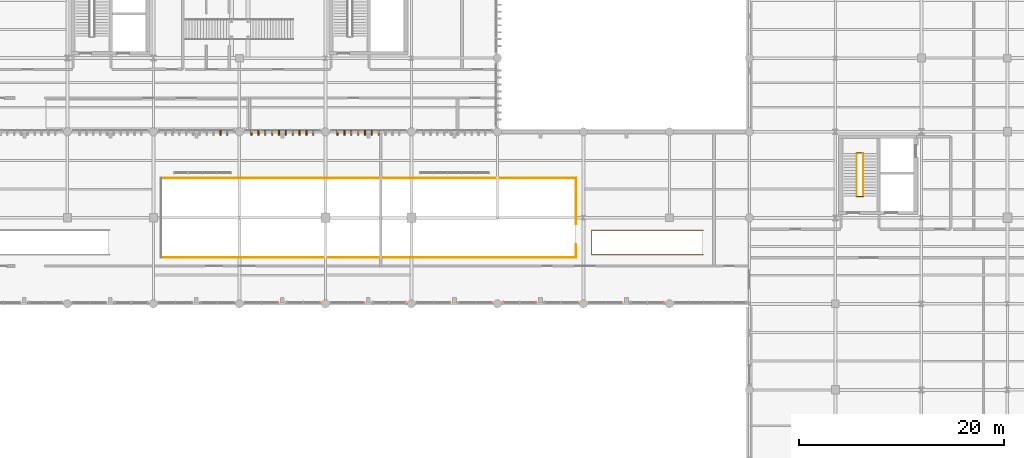
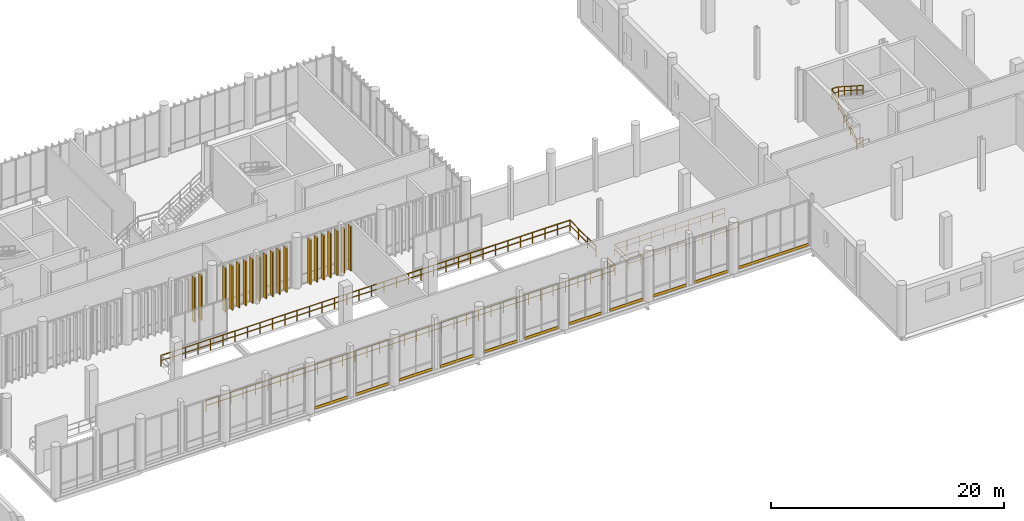
# One storey, part 122 of 128: 30 coverings, 9 railings.
"""IFC4 building model written with IfcOpenShell, lengths in metres."""

from ifc_helpers import new_model, si_unit, direction, frame, frame_2d, origin_with_axes, origin_2d_with_axis, place, context, subcontext, project, spatial, rectangle, circle, extrude, material, type_object, element, save


model = new_model("IFC4")

# Units and contexts
model_context = context("Model", 3, precision=1e-05, world=origin_with_axes(), true_north=direction((0.0, 1.0)))
body_context = subcontext(model_context, "Body", "Model", "MODEL_VIEW")
ifc_project = project(units=[si_unit("LENGTHUNIT", "METRE"), si_unit("AREAUNIT", "SQUARE_METRE"), si_unit("VOLUMEUNIT", "CUBIC_METRE"), si_unit("PLANEANGLEUNIT", "RADIAN"), si_unit("MASSUNIT", "GRAM", prefix="KILO"), si_unit("THERMODYNAMICTEMPERATUREUNIT", "KELVIN")], contexts=[model_context])

# Site, building, storey
site_placement = place(None, origin_with_axes())
site = spatial("IfcSite", under=ifc_project, at=site_placement, CompositionType="ELEMENT")
building_placement = place(site_placement, origin_with_axes())
building = spatial("IfcBuilding", under=site, at=building_placement, Name="Montbau Bow Law Courts", CompositionType="ELEMENT")
storey_placement = place(building_placement, frame((0.0, 0.0, 5.4), z_axis=(0.0, 0.0, 1.0), x_axis=(1.0, 0.0, 0.0)))
storey = spatial("IfcBuildingStorey", under=building, at=storey_placement, Name="L01", CompositionType="ELEMENT", Elevation=5.4)

# Coverings
ifc_material_1 = material(Name="Polychrome Catalan Trencadis Glazed Ceramic Spandrel Cladding", Category="masonry")
covering_type_1 = type_object("IfcCoveringType", Name="CV-CLD-01", PredefinedType="CLADDING", material=ifc_material_1)
for number, where, z_axis, x_axis, name in (
    (1, (74.162, 22.3, 5.4), (0.0, 0.0, 1.0), (1.0, 0.0, 0.0), "CLD-L01-402:cov_3525"),
    (2, (78.238, 22.3, 5.4), (0.0, 0.0, 1.0), (1.0, 0.0, 0.0), "CLD-L01-403:cov_3526"),
    (3, (82.562, 22.3, 5.4), (0.0, 0.0, 1.0), (1.0, 0.0, 0.0), "CLD-L01-404:cov_3527"),
    (4, (86.637, 22.3, 5.4), (0.0, 0.0, 1.0), (1.0, 0.0, 0.0), "CLD-L01-405:cov_3528"),
    (5, (90.963, 22.3, 5.4), (0.0, 0.0, 1.0), (1.0, 0.0, 0.0), "CLD-L01-406:cov_3529"),
    (6, (95.037, 22.3, 5.4), (0.0, 0.0, 1.0), (1.0, 0.0, 0.0), "CLD-L01-407:cov_3530"),
    (7, (99.363, 22.3, 5.4), (0.0, 0.0, 1.0), (1.0, 0.0, 0.0), "CLD-L01-408:cov_3531"),
    (8, (103.438, 22.3, 5.4), (0.0, 0.0, 1.0), (1.0, 0.0, 0.0), "CLD-L01-409:cov_3532"),
    (9, (107.762, 22.3, 5.4), (0.0, 0.0, 1.0), (1.0, 0.0, 0.0), "CLD-L01-410:cov_3533"),
    (10, (111.838, 22.3, 5.4), (0.0, 0.0, 1.0), (1.0, 0.0, 0.0), "CLD-L01-411:cov_3534"),
):
    element("IfcCovering", number, at=place(None, frame(where, z_axis=z_axis, x_axis=x_axis)), inside=storey, type_object=covering_type_1, Name=name, PredefinedType="CLADDING", context=body_context, shape_type="SweptSolid", body=[
        extrude(rectangle(XDim=3.295, YDim=0.06, at=origin_2d_with_axis()), origin_with_axes(), (0.0, 0.0, 1.0), 0.28),
    ])
covering_placement = place(None, frame((118.023, 22.3, 5.4), z_axis=(0.0, 0.0, 1.0), x_axis=(1.0, 0.0, 0.0)))
element("IfcCovering", 11, at=covering_placement, inside=storey, type_object=covering_type_1, Name="CLD-L01-412:cov_3535", PredefinedType="CLADDING", context=body_context, shape_type="SweptSolid", body=[
    extrude(rectangle(XDim=7.017, YDim=0.06, at=origin_2d_with_axis()), origin_with_axes(), (0.0, 0.0, 1.0), 0.28),
])
ifc_material_2 = material(Name="Freeze-Thaw Glazed Warm Cream Ceramic Vertical Louvre", Category="masonry")
covering_type_2 = type_object("IfcCoveringType", Name="CV-LVR-CRM", PredefinedType="CLADDING", material=ifc_material_2)
for number, where, z_axis, x_axis, name in (
    (12, (70.145, 39.13, 5.4), (-1.0, 0.0, 0.0), (0.0, -1.0, 0.0), "CLV-L01-1269:cov_1314"),
    (13, (70.815, 39.13, 5.4), (-1.0, 0.0, 0.0), (0.0, -1.0, 0.0), "CLV-L01-1270:cov_1315"),
    (14, (73.185, 39.13, 5.4), (-1.0, 0.0, 0.0), (0.0, -1.0, 0.0), "CLV-L01-1271:cov_1316"),
    (15, (73.855, 39.13, 5.4), (-1.0, 0.0, 0.0), (0.0, -1.0, 0.0), "CLV-L01-1272:cov_1317"),
    (16, (74.525, 39.13, 5.4), (-1.0, 0.0, 0.0), (0.0, -1.0, 0.0), "CLV-L01-1273:cov_1318"),
    (17, (75.195, 39.13, 5.4), (-1.0, 0.0, 0.0), (0.0, -1.0, 0.0), "CLV-L01-1274:cov_1319"),
    (18, (75.865, 39.13, 5.4), (-1.0, 0.0, 0.0), (0.0, -1.0, 0.0), "CLV-L01-1275:cov_1320"),
    (19, (76.535, 39.13, 5.4), (-1.0, 0.0, 0.0), (0.0, -1.0, 0.0), "CLV-L01-1276:cov_1321"),
    (20, (77.205, 39.13, 5.4), (-1.0, 0.0, 0.0), (0.0, -1.0, 0.0), "CLV-L01-1277:cov_1322"),
    (21, (77.875, 39.13, 5.4), (-1.0, 0.0, 0.0), (0.0, -1.0, 0.0), "CLV-L01-1278:cov_1323"),
    (22, (78.545, 39.13, 5.4), (-1.0, 0.0, 0.0), (0.0, -1.0, 0.0), "CLV-L01-1279:cov_1324"),
    (23, (79.215, 39.13, 5.4), (-1.0, 0.0, 0.0), (0.0, -1.0, 0.0), "CLV-L01-1280:cov_1325"),
    (24, (81.585, 39.13, 5.4), (-1.0, 0.0, 0.0), (0.0, -1.0, 0.0), "CLV-L01-1281:cov_1326"),
    (25, (82.255, 39.13, 5.4), (-1.0, 0.0, 0.0), (0.0, -1.0, 0.0), "CLV-L01-1282:cov_1327"),
    (26, (82.925, 39.13, 5.4), (-1.0, 0.0, 0.0), (0.0, -1.0, 0.0), "CLV-L01-1283:cov_1328"),
    (27, (83.595, 39.13, 5.4), (-1.0, 0.0, 0.0), (0.0, -1.0, 0.0), "CLV-L01-1284:cov_1329"),
    (28, (84.265, 39.13, 5.4), (-1.0, 0.0, 0.0), (0.0, -1.0, 0.0), "CLV-L01-1285:cov_1330"),
    (29, (84.935, 39.13, 5.4), (-1.0, 0.0, 0.0), (0.0, -1.0, 0.0), "CLV-L01-1286:cov_1331"),
    (30, (85.605, 39.13, 5.4), (-1.0, 0.0, 0.0), (0.0, -1.0, 0.0), "CLV-L01-1287:cov_1332"),
):
    element("IfcCovering", number, at=place(None, frame(where, z_axis=z_axis, x_axis=x_axis)), inside=storey, type_object=covering_type_2, Name=name, PredefinedType="CLADDING", context=body_context, shape_type="SweptSolid", body=[
        extrude(rectangle(XDim=0.48, YDim=4.64, at=frame_2d((0.24, 2.32), x_axis=(1.0, 0.0))), frame((0.0, 0.0, -0.06), z_axis=(0.0, 0.0, 1.0), x_axis=(1.0, 0.0, 0.0)), (0.0, 0.0, 1.0), 0.12),
    ])

# Railings
ifc_material_3 = material(Name="Laminated Glass and Bronze Gallery Balustrade", Category="glass")
railing_type_1 = type_object("IfcRailingType", Name="RL-BAL-1120", PredefinedType="BALUSTRADE", material=ifc_material_3)
railing_1_placement = place(None, origin_with_axes())
element("IfcRailing", 31, at=railing_1_placement, inside=storey, type_object=railing_type_1, Name="GRD-OPEN-ST-GRD-02:rlg_0276", PredefinedType="BALUSTRADE", context=body_context, shape_type="SweptSolid", body=[
    extrude(circle(Radius=0.025, at=origin_2d_with_axis()), frame((117.3, 27.0, 6.522), z_axis=(-1.0, 0.0, 0.0), x_axis=(0.0, 0.0, 1.0)), (0.0, 0.0, 1.0), 10.8675),
    extrude(circle(Radius=0.022500000000000003, at=origin_2d_with_axis()), frame((117.3, 27.0, 5.9824), z_axis=(-1.0, 0.0, 0.0), x_axis=(0.0, 0.0, 1.0)), (0.0, 0.0, 1.0), 10.8675),
    extrude(circle(Radius=0.022500000000000003, at=origin_2d_with_axis()), frame((117.3, 27.0, 5.4), z_axis=(0.0, 0.0, 1.0), x_axis=(1.0, 0.0, 0.0)), (0.0, 0.0, 1.0), 1.0925),
    extrude(circle(Radius=0.022500000000000003, at=origin_2d_with_axis()), frame((116.088889, 27.0, 5.4), z_axis=(0.0, 0.0, 1.0), x_axis=(1.0, 0.0, 0.0)), (0.0, 0.0, 1.0), 1.0925),
    extrude(circle(Radius=0.022500000000000003, at=origin_2d_with_axis()), frame((114.877778, 27.0, 5.4), z_axis=(0.0, 0.0, 1.0), x_axis=(1.0, 0.0, 0.0)), (0.0, 0.0, 1.0), 1.0925),
    extrude(circle(Radius=0.022500000000000003, at=origin_2d_with_axis()), frame((113.666667, 27.0, 5.4), z_axis=(0.0, 0.0, 1.0), x_axis=(1.0, 0.0, 0.0)), (0.0, 0.0, 1.0), 1.0925),
    extrude(circle(Radius=0.022500000000000003, at=origin_2d_with_axis()), frame((112.455556, 27.0, 5.4), z_axis=(0.0, 0.0, 1.0), x_axis=(1.0, 0.0, 0.0)), (0.0, 0.0, 1.0), 1.0925),
    extrude(circle(Radius=0.022500000000000003, at=origin_2d_with_axis()), frame((111.244444, 27.0, 5.4), z_axis=(0.0, 0.0, 1.0), x_axis=(1.0, 0.0, 0.0)), (0.0, 0.0, 1.0), 1.0925),
    extrude(circle(Radius=0.022500000000000003, at=origin_2d_with_axis()), frame((110.033333, 27.0, 5.4), z_axis=(0.0, 0.0, 1.0), x_axis=(1.0, 0.0, 0.0)), (0.0, 0.0, 1.0), 1.0925),
    extrude(circle(Radius=0.022500000000000003, at=origin_2d_with_axis()), frame((108.822222, 27.0, 5.4), z_axis=(0.0, 0.0, 1.0), x_axis=(1.0, 0.0, 0.0)), (0.0, 0.0, 1.0), 1.0925),
    extrude(circle(Radius=0.022500000000000003, at=origin_2d_with_axis()), frame((107.611111, 27.0, 5.4), z_axis=(0.0, 0.0, 1.0), x_axis=(1.0, 0.0, 0.0)), (0.0, 0.0, 1.0), 1.0925),
    extrude(circle(Radius=0.022500000000000003, at=origin_2d_with_axis()), frame((106.4, 27.0, 5.4), z_axis=(0.0, 0.0, 1.0), x_axis=(1.0, 0.0, 0.0)), (0.0, 0.0, 1.0), 1.0925),
    extrude(circle(Radius=0.025, at=origin_2d_with_axis()), frame((106.4, 27.0325, 6.522), z_axis=(0.0, 1.0, 0.0), x_axis=(0.0, 0.0, 1.0)), (0.0, 0.0, 1.0), 2.335),
    extrude(circle(Radius=0.022500000000000003, at=origin_2d_with_axis()), frame((106.4, 27.0325, 5.9824), z_axis=(0.0, 1.0, 0.0), x_axis=(0.0, 0.0, 1.0)), (0.0, 0.0, 1.0), 2.335),
    extrude(circle(Radius=0.022500000000000003, at=origin_2d_with_axis()), frame((106.4, 29.4, 5.4), z_axis=(0.0, 0.0, 1.0), x_axis=(1.0, 0.0, 0.0)), (0.0, 0.0, 1.0), 1.0925),
    extrude(circle(Radius=0.025, at=origin_2d_with_axis()), frame((106.4325, 29.4, 6.522), z_axis=(1.0, 0.0, 0.0), x_axis=(0.0, 0.0, 1.0)), (0.0, 0.0, 1.0), 10.8675),
    extrude(circle(Radius=0.022500000000000003, at=origin_2d_with_axis()), frame((106.4325, 29.4, 5.9824), z_axis=(1.0, 0.0, 0.0), x_axis=(0.0, 0.0, 1.0)), (0.0, 0.0, 1.0), 10.8675),
    extrude(circle(Radius=0.022500000000000003, at=origin_2d_with_axis()), frame((107.611111, 29.4, 5.4), z_axis=(0.0, 0.0, 1.0), x_axis=(1.0, 0.0, 0.0)), (0.0, 0.0, 1.0), 1.0925),
    extrude(circle(Radius=0.022500000000000003, at=origin_2d_with_axis()), frame((108.822222, 29.4, 5.4), z_axis=(0.0, 0.0, 1.0), x_axis=(1.0, 0.0, 0.0)), (0.0, 0.0, 1.0), 1.0925),
    extrude(circle(Radius=0.022500000000000003, at=origin_2d_with_axis()), frame((110.033333, 29.4, 5.4), z_axis=(0.0, 0.0, 1.0), x_axis=(1.0, 0.0, 0.0)), (0.0, 0.0, 1.0), 1.0925),
    extrude(circle(Radius=0.022500000000000003, at=origin_2d_with_axis()), frame((111.244444, 29.4, 5.4), z_axis=(0.0, 0.0, 1.0), x_axis=(1.0, 0.0, 0.0)), (0.0, 0.0, 1.0), 1.0925),
    extrude(circle(Radius=0.022500000000000003, at=origin_2d_with_axis()), frame((112.455556, 29.4, 5.4), z_axis=(0.0, 0.0, 1.0), x_axis=(1.0, 0.0, 0.0)), (0.0, 0.0, 1.0), 1.0925),
    extrude(circle(Radius=0.022500000000000003, at=origin_2d_with_axis()), frame((113.666667, 29.4, 5.4), z_axis=(0.0, 0.0, 1.0), x_axis=(1.0, 0.0, 0.0)), (0.0, 0.0, 1.0), 1.0925),
    extrude(circle(Radius=0.022500000000000003, at=origin_2d_with_axis()), frame((114.877778, 29.4, 5.4), z_axis=(0.0, 0.0, 1.0), x_axis=(1.0, 0.0, 0.0)), (0.0, 0.0, 1.0), 1.0925),
    extrude(circle(Radius=0.022500000000000003, at=origin_2d_with_axis()), frame((116.088889, 29.4, 5.4), z_axis=(0.0, 0.0, 1.0), x_axis=(1.0, 0.0, 0.0)), (0.0, 0.0, 1.0), 1.0925),
    extrude(circle(Radius=0.022500000000000003, at=origin_2d_with_axis()), frame((117.3, 29.4, 5.4), z_axis=(0.0, 0.0, 1.0), x_axis=(1.0, 0.0, 0.0)), (0.0, 0.0, 1.0), 1.0925),
])
railing_2_placement = place(None, origin_with_axes())
element("IfcRailing", 32, at=railing_2_placement, inside=storey, type_object=railing_type_1, Name="BAL-VOID-WGC-L01-S:rlg_0314", PredefinedType="BALUSTRADE", context=body_context, shape_type="SweptSolid", body=[
    extrude(circle(Radius=0.025, at=origin_2d_with_axis()), frame((64.32, 26.72, 6.522), z_axis=(1.0, 0.0, 0.0), x_axis=(0.0, 0.0, 1.0)), (0.0, 0.0, 1.0), 40.56),
    extrude(circle(Radius=0.022500000000000003, at=origin_2d_with_axis()), frame((64.32, 26.72, 5.9824), z_axis=(1.0, 0.0, 0.0), x_axis=(0.0, 0.0, 1.0)), (0.0, 0.0, 1.0), 40.56),
    extrude(circle(Radius=0.022500000000000003, at=origin_2d_with_axis()), frame((64.32, 26.72, 5.4), z_axis=(0.0, 0.0, 1.0), x_axis=(1.0, 0.0, 0.0)), (0.0, 0.0, 1.0), 1.0925),
    extrude(circle(Radius=0.022500000000000003, at=origin_2d_with_axis()), frame((65.549091, 26.72, 5.4), z_axis=(0.0, 0.0, 1.0), x_axis=(1.0, 0.0, 0.0)), (0.0, 0.0, 1.0), 1.0925),
    extrude(circle(Radius=0.022500000000000003, at=origin_2d_with_axis()), frame((66.778182, 26.72, 5.4), z_axis=(0.0, 0.0, 1.0), x_axis=(1.0, 0.0, 0.0)), (0.0, 0.0, 1.0), 1.0925),
    extrude(circle(Radius=0.022500000000000003, at=origin_2d_with_axis()), frame((68.007273, 26.72, 5.4), z_axis=(0.0, 0.0, 1.0), x_axis=(1.0, 0.0, 0.0)), (0.0, 0.0, 1.0), 1.0925),
    extrude(circle(Radius=0.022500000000000003, at=origin_2d_with_axis()), frame((69.236364, 26.72, 5.4), z_axis=(0.0, 0.0, 1.0), x_axis=(1.0, 0.0, 0.0)), (0.0, 0.0, 1.0), 1.0925),
    extrude(circle(Radius=0.022500000000000003, at=origin_2d_with_axis()), frame((70.465455, 26.72, 5.4), z_axis=(0.0, 0.0, 1.0), x_axis=(1.0, 0.0, 0.0)), (0.0, 0.0, 1.0), 1.0925),
    extrude(circle(Radius=0.022500000000000003, at=origin_2d_with_axis()), frame((71.694545, 26.72, 5.4), z_axis=(0.0, 0.0, 1.0), x_axis=(1.0, 0.0, 0.0)), (0.0, 0.0, 1.0), 1.0925),
    extrude(circle(Radius=0.022500000000000003, at=origin_2d_with_axis()), frame((72.923636, 26.72, 5.4), z_axis=(0.0, 0.0, 1.0), x_axis=(1.0, 0.0, 0.0)), (0.0, 0.0, 1.0), 1.0925),
    extrude(circle(Radius=0.022500000000000003, at=origin_2d_with_axis()), frame((74.152727, 26.72, 5.4), z_axis=(0.0, 0.0, 1.0), x_axis=(1.0, 0.0, 0.0)), (0.0, 0.0, 1.0), 1.0925),
    extrude(circle(Radius=0.022500000000000003, at=origin_2d_with_axis()), frame((75.381818, 26.72, 5.4), z_axis=(0.0, 0.0, 1.0), x_axis=(1.0, 0.0, 0.0)), (0.0, 0.0, 1.0), 1.0925),
    extrude(circle(Radius=0.022500000000000003, at=origin_2d_with_axis()), frame((76.610909, 26.72, 5.4), z_axis=(0.0, 0.0, 1.0), x_axis=(1.0, 0.0, 0.0)), (0.0, 0.0, 1.0), 1.0925),
    extrude(circle(Radius=0.022500000000000003, at=origin_2d_with_axis()), frame((77.84, 26.72, 5.4), z_axis=(0.0, 0.0, 1.0), x_axis=(1.0, 0.0, 0.0)), (0.0, 0.0, 1.0), 1.0925),
    extrude(circle(Radius=0.022500000000000003, at=origin_2d_with_axis()), frame((79.069091, 26.72, 5.4), z_axis=(0.0, 0.0, 1.0), x_axis=(1.0, 0.0, 0.0)), (0.0, 0.0, 1.0), 1.0925),
    extrude(circle(Radius=0.022500000000000003, at=origin_2d_with_axis()), frame((80.298182, 26.72, 5.4), z_axis=(0.0, 0.0, 1.0), x_axis=(1.0, 0.0, 0.0)), (0.0, 0.0, 1.0), 1.0925),
    extrude(circle(Radius=0.022500000000000003, at=origin_2d_with_axis()), frame((81.527273, 26.72, 5.4), z_axis=(0.0, 0.0, 1.0), x_axis=(1.0, 0.0, 0.0)), (0.0, 0.0, 1.0), 1.0925),
    extrude(circle(Radius=0.022500000000000003, at=origin_2d_with_axis()), frame((82.756364, 26.72, 5.4), z_axis=(0.0, 0.0, 1.0), x_axis=(1.0, 0.0, 0.0)), (0.0, 0.0, 1.0), 1.0925),
    extrude(circle(Radius=0.022500000000000003, at=origin_2d_with_axis()), frame((83.985455, 26.72, 5.4), z_axis=(0.0, 0.0, 1.0), x_axis=(1.0, 0.0, 0.0)), (0.0, 0.0, 1.0), 1.0925),
    extrude(circle(Radius=0.022500000000000003, at=origin_2d_with_axis()), frame((85.214545, 26.72, 5.4), z_axis=(0.0, 0.0, 1.0), x_axis=(1.0, 0.0, 0.0)), (0.0, 0.0, 1.0), 1.0925),
    extrude(circle(Radius=0.022500000000000003, at=origin_2d_with_axis()), frame((86.443636, 26.72, 5.4), z_axis=(0.0, 0.0, 1.0), x_axis=(1.0, 0.0, 0.0)), (0.0, 0.0, 1.0), 1.0925),
    extrude(circle(Radius=0.022500000000000003, at=origin_2d_with_axis()), frame((87.672727, 26.72, 5.4), z_axis=(0.0, 0.0, 1.0), x_axis=(1.0, 0.0, 0.0)), (0.0, 0.0, 1.0), 1.0925),
    extrude(circle(Radius=0.022500000000000003, at=origin_2d_with_axis()), frame((88.901818, 26.72, 5.4), z_axis=(0.0, 0.0, 1.0), x_axis=(1.0, 0.0, 0.0)), (0.0, 0.0, 1.0), 1.0925),
    extrude(circle(Radius=0.022500000000000003, at=origin_2d_with_axis()), frame((90.130909, 26.72, 5.4), z_axis=(0.0, 0.0, 1.0), x_axis=(1.0, 0.0, 0.0)), (0.0, 0.0, 1.0), 1.0925),
    extrude(circle(Radius=0.022500000000000003, at=origin_2d_with_axis()), frame((91.36, 26.72, 5.4), z_axis=(0.0, 0.0, 1.0), x_axis=(1.0, 0.0, 0.0)), (0.0, 0.0, 1.0), 1.0925),
    extrude(circle(Radius=0.022500000000000003, at=origin_2d_with_axis()), frame((92.589091, 26.72, 5.4), z_axis=(0.0, 0.0, 1.0), x_axis=(1.0, 0.0, 0.0)), (0.0, 0.0, 1.0), 1.0925),
    extrude(circle(Radius=0.022500000000000003, at=origin_2d_with_axis()), frame((93.818182, 26.72, 5.4), z_axis=(0.0, 0.0, 1.0), x_axis=(1.0, 0.0, 0.0)), (0.0, 0.0, 1.0), 1.0925),
    extrude(circle(Radius=0.022500000000000003, at=origin_2d_with_axis()), frame((95.047273, 26.72, 5.4), z_axis=(0.0, 0.0, 1.0), x_axis=(1.0, 0.0, 0.0)), (0.0, 0.0, 1.0), 1.0925),
    extrude(circle(Radius=0.022500000000000003, at=origin_2d_with_axis()), frame((96.276364, 26.72, 5.4), z_axis=(0.0, 0.0, 1.0), x_axis=(1.0, 0.0, 0.0)), (0.0, 0.0, 1.0), 1.0925),
    extrude(circle(Radius=0.022500000000000003, at=origin_2d_with_axis()), frame((97.505455, 26.72, 5.4), z_axis=(0.0, 0.0, 1.0), x_axis=(1.0, 0.0, 0.0)), (0.0, 0.0, 1.0), 1.0925),
    extrude(circle(Radius=0.022500000000000003, at=origin_2d_with_axis()), frame((98.734545, 26.72, 5.4), z_axis=(0.0, 0.0, 1.0), x_axis=(1.0, 0.0, 0.0)), (0.0, 0.0, 1.0), 1.0925),
    extrude(circle(Radius=0.022500000000000003, at=origin_2d_with_axis()), frame((99.963636, 26.72, 5.4), z_axis=(0.0, 0.0, 1.0), x_axis=(1.0, 0.0, 0.0)), (0.0, 0.0, 1.0), 1.0925),
    extrude(circle(Radius=0.022500000000000003, at=origin_2d_with_axis()), frame((101.192727, 26.72, 5.4), z_axis=(0.0, 0.0, 1.0), x_axis=(1.0, 0.0, 0.0)), (0.0, 0.0, 1.0), 1.0925),
    extrude(circle(Radius=0.022500000000000003, at=origin_2d_with_axis()), frame((102.421818, 26.72, 5.4), z_axis=(0.0, 0.0, 1.0), x_axis=(1.0, 0.0, 0.0)), (0.0, 0.0, 1.0), 1.0925),
    extrude(circle(Radius=0.022500000000000003, at=origin_2d_with_axis()), frame((103.650909, 26.72, 5.4), z_axis=(0.0, 0.0, 1.0), x_axis=(1.0, 0.0, 0.0)), (0.0, 0.0, 1.0), 1.0925),
    extrude(circle(Radius=0.022500000000000003, at=origin_2d_with_axis()), frame((104.88, 26.72, 5.4), z_axis=(0.0, 0.0, 1.0), x_axis=(1.0, 0.0, 0.0)), (0.0, 0.0, 1.0), 1.0925),
])
railing_3_placement = place(None, origin_with_axes())
element("IfcRailing", 33, at=railing_3_placement, inside=storey, type_object=railing_type_1, Name="BAL-VOID-WGC-L01-E1:rlg_0315", PredefinedType="BALUSTRADE", context=body_context, shape_type="SweptSolid", body=[
    extrude(circle(Radius=0.025, at=origin_2d_with_axis()), frame((104.88, 26.72, 6.522), z_axis=(0.0, 1.0, 0.0), x_axis=(0.0, 0.0, 1.0)), (0.0, 0.0, 1.0), 1.28),
    extrude(circle(Radius=0.022500000000000003, at=origin_2d_with_axis()), frame((104.88, 26.72, 5.9824), z_axis=(0.0, 1.0, 0.0), x_axis=(0.0, 0.0, 1.0)), (0.0, 0.0, 1.0), 1.28),
    extrude(circle(Radius=0.022500000000000003, at=origin_2d_with_axis()), frame((104.88, 26.72, 5.4), z_axis=(0.0, 0.0, 1.0), x_axis=(1.0, 0.0, 0.0)), (0.0, 0.0, 1.0), 1.0925),
    extrude(circle(Radius=0.022500000000000003, at=origin_2d_with_axis()), frame((104.88, 28.0, 5.4), z_axis=(0.0, 0.0, 1.0), x_axis=(1.0, 0.0, 0.0)), (0.0, 0.0, 1.0), 1.0925),
])
railing_4_placement = place(None, origin_with_axes())
element("IfcRailing", 34, at=railing_4_placement, inside=storey, type_object=railing_type_1, Name="BAL-VOID-WGC-L01-E2:rlg_0316", PredefinedType="BALUSTRADE", context=body_context, shape_type="SweptSolid", body=[
    extrude(circle(Radius=0.025, at=origin_2d_with_axis()), frame((104.88, 30.0, 6.522), z_axis=(0.0, 1.0, 0.0), x_axis=(0.0, 0.0, 1.0)), (0.0, 0.0, 1.0), 4.48),
    extrude(circle(Radius=0.022500000000000003, at=origin_2d_with_axis()), frame((104.88, 30.0, 5.9824), z_axis=(0.0, 1.0, 0.0), x_axis=(0.0, 0.0, 1.0)), (0.0, 0.0, 1.0), 4.48),
    extrude(circle(Radius=0.022500000000000003, at=origin_2d_with_axis()), frame((104.88, 30.0, 5.4), z_axis=(0.0, 0.0, 1.0), x_axis=(1.0, 0.0, 0.0)), (0.0, 0.0, 1.0), 1.0925),
    extrude(circle(Radius=0.022500000000000003, at=origin_2d_with_axis()), frame((104.88, 31.493333, 5.4), z_axis=(0.0, 0.0, 1.0), x_axis=(1.0, 0.0, 0.0)), (0.0, 0.0, 1.0), 1.0925),
    extrude(circle(Radius=0.022500000000000003, at=origin_2d_with_axis()), frame((104.88, 32.986667, 5.4), z_axis=(0.0, 0.0, 1.0), x_axis=(1.0, 0.0, 0.0)), (0.0, 0.0, 1.0), 1.0925),
    extrude(circle(Radius=0.022500000000000003, at=origin_2d_with_axis()), frame((104.88, 34.48, 5.4), z_axis=(0.0, 0.0, 1.0), x_axis=(1.0, 0.0, 0.0)), (0.0, 0.0, 1.0), 1.0925),
])
railing_5_placement = place(None, origin_with_axes())
element("IfcRailing", 35, at=railing_5_placement, inside=storey, type_object=railing_type_1, Name="BAL-VOID-WGC-L01-N:rlg_0317", PredefinedType="BALUSTRADE", context=body_context, shape_type="SweptSolid", body=[
    extrude(circle(Radius=0.025, at=origin_2d_with_axis()), frame((104.88, 34.48, 6.522), z_axis=(-1.0, 0.0, 0.0), x_axis=(0.0, 0.0, 1.0)), (0.0, 0.0, 1.0), 40.56),
    extrude(circle(Radius=0.022500000000000003, at=origin_2d_with_axis()), frame((104.88, 34.48, 5.9824), z_axis=(-1.0, 0.0, 0.0), x_axis=(0.0, 0.0, 1.0)), (0.0, 0.0, 1.0), 40.56),
    extrude(circle(Radius=0.022500000000000003, at=origin_2d_with_axis()), frame((104.88, 34.48, 5.4), z_axis=(0.0, 0.0, 1.0), x_axis=(1.0, 0.0, 0.0)), (0.0, 0.0, 1.0), 1.0925),
    extrude(circle(Radius=0.022500000000000003, at=origin_2d_with_axis()), frame((103.650909, 34.48, 5.4), z_axis=(0.0, 0.0, 1.0), x_axis=(1.0, 0.0, 0.0)), (0.0, 0.0, 1.0), 1.0925),
    extrude(circle(Radius=0.022500000000000003, at=origin_2d_with_axis()), frame((102.421818, 34.48, 5.4), z_axis=(0.0, 0.0, 1.0), x_axis=(1.0, 0.0, 0.0)), (0.0, 0.0, 1.0), 1.0925),
    extrude(circle(Radius=0.022500000000000003, at=origin_2d_with_axis()), frame((101.192727, 34.48, 5.4), z_axis=(0.0, 0.0, 1.0), x_axis=(1.0, 0.0, 0.0)), (0.0, 0.0, 1.0), 1.0925),
    extrude(circle(Radius=0.022500000000000003, at=origin_2d_with_axis()), frame((99.963636, 34.48, 5.4), z_axis=(0.0, 0.0, 1.0), x_axis=(1.0, 0.0, 0.0)), (0.0, 0.0, 1.0), 1.0925),
    extrude(circle(Radius=0.022500000000000003, at=origin_2d_with_axis()), frame((98.734545, 34.48, 5.4), z_axis=(0.0, 0.0, 1.0), x_axis=(1.0, 0.0, 0.0)), (0.0, 0.0, 1.0), 1.0925),
    extrude(circle(Radius=0.022500000000000003, at=origin_2d_with_axis()), frame((97.505455, 34.48, 5.4), z_axis=(0.0, 0.0, 1.0), x_axis=(1.0, 0.0, 0.0)), (0.0, 0.0, 1.0), 1.0925),
    extrude(circle(Radius=0.022500000000000003, at=origin_2d_with_axis()), frame((96.276364, 34.48, 5.4), z_axis=(0.0, 0.0, 1.0), x_axis=(1.0, 0.0, 0.0)), (0.0, 0.0, 1.0), 1.0925),
    extrude(circle(Radius=0.022500000000000003, at=origin_2d_with_axis()), frame((95.047273, 34.48, 5.4), z_axis=(0.0, 0.0, 1.0), x_axis=(1.0, 0.0, 0.0)), (0.0, 0.0, 1.0), 1.0925),
    extrude(circle(Radius=0.022500000000000003, at=origin_2d_with_axis()), frame((93.818182, 34.48, 5.4), z_axis=(0.0, 0.0, 1.0), x_axis=(1.0, 0.0, 0.0)), (0.0, 0.0, 1.0), 1.0925),
    extrude(circle(Radius=0.022500000000000003, at=origin_2d_with_axis()), frame((92.589091, 34.48, 5.4), z_axis=(0.0, 0.0, 1.0), x_axis=(1.0, 0.0, 0.0)), (0.0, 0.0, 1.0), 1.0925),
    extrude(circle(Radius=0.022500000000000003, at=origin_2d_with_axis()), frame((91.36, 34.48, 5.4), z_axis=(0.0, 0.0, 1.0), x_axis=(1.0, 0.0, 0.0)), (0.0, 0.0, 1.0), 1.0925),
    extrude(circle(Radius=0.022500000000000003, at=origin_2d_with_axis()), frame((90.130909, 34.48, 5.4), z_axis=(0.0, 0.0, 1.0), x_axis=(1.0, 0.0, 0.0)), (0.0, 0.0, 1.0), 1.0925),
    extrude(circle(Radius=0.022500000000000003, at=origin_2d_with_axis()), frame((88.901818, 34.48, 5.4), z_axis=(0.0, 0.0, 1.0), x_axis=(1.0, 0.0, 0.0)), (0.0, 0.0, 1.0), 1.0925),
    extrude(circle(Radius=0.022500000000000003, at=origin_2d_with_axis()), frame((87.672727, 34.48, 5.4), z_axis=(0.0, 0.0, 1.0), x_axis=(1.0, 0.0, 0.0)), (0.0, 0.0, 1.0), 1.0925),
    extrude(circle(Radius=0.022500000000000003, at=origin_2d_with_axis()), frame((86.443636, 34.48, 5.4), z_axis=(0.0, 0.0, 1.0), x_axis=(1.0, 0.0, 0.0)), (0.0, 0.0, 1.0), 1.0925),
    extrude(circle(Radius=0.022500000000000003, at=origin_2d_with_axis()), frame((85.214545, 34.48, 5.4), z_axis=(0.0, 0.0, 1.0), x_axis=(1.0, 0.0, 0.0)), (0.0, 0.0, 1.0), 1.0925),
    extrude(circle(Radius=0.022500000000000003, at=origin_2d_with_axis()), frame((83.985455, 34.48, 5.4), z_axis=(0.0, 0.0, 1.0), x_axis=(1.0, 0.0, 0.0)), (0.0, 0.0, 1.0), 1.0925),
    extrude(circle(Radius=0.022500000000000003, at=origin_2d_with_axis()), frame((82.756364, 34.48, 5.4), z_axis=(0.0, 0.0, 1.0), x_axis=(1.0, 0.0, 0.0)), (0.0, 0.0, 1.0), 1.0925),
    extrude(circle(Radius=0.022500000000000003, at=origin_2d_with_axis()), frame((81.527273, 34.48, 5.4), z_axis=(0.0, 0.0, 1.0), x_axis=(1.0, 0.0, 0.0)), (0.0, 0.0, 1.0), 1.0925),
    extrude(circle(Radius=0.022500000000000003, at=origin_2d_with_axis()), frame((80.298182, 34.48, 5.4), z_axis=(0.0, 0.0, 1.0), x_axis=(1.0, 0.0, 0.0)), (0.0, 0.0, 1.0), 1.0925),
    extrude(circle(Radius=0.022500000000000003, at=origin_2d_with_axis()), frame((79.069091, 34.48, 5.4), z_axis=(0.0, 0.0, 1.0), x_axis=(1.0, 0.0, 0.0)), (0.0, 0.0, 1.0), 1.0925),
    extrude(circle(Radius=0.022500000000000003, at=origin_2d_with_axis()), frame((77.84, 34.48, 5.4), z_axis=(0.0, 0.0, 1.0), x_axis=(1.0, 0.0, 0.0)), (0.0, 0.0, 1.0), 1.0925),
    extrude(circle(Radius=0.022500000000000003, at=origin_2d_with_axis()), frame((76.610909, 34.48, 5.4), z_axis=(0.0, 0.0, 1.0), x_axis=(1.0, 0.0, 0.0)), (0.0, 0.0, 1.0), 1.0925),
    extrude(circle(Radius=0.022500000000000003, at=origin_2d_with_axis()), frame((75.381818, 34.48, 5.4), z_axis=(0.0, 0.0, 1.0), x_axis=(1.0, 0.0, 0.0)), (0.0, 0.0, 1.0), 1.0925),
    extrude(circle(Radius=0.022500000000000003, at=origin_2d_with_axis()), frame((74.152727, 34.48, 5.4), z_axis=(0.0, 0.0, 1.0), x_axis=(1.0, 0.0, 0.0)), (0.0, 0.0, 1.0), 1.0925),
    extrude(circle(Radius=0.022500000000000003, at=origin_2d_with_axis()), frame((72.923636, 34.48, 5.4), z_axis=(0.0, 0.0, 1.0), x_axis=(1.0, 0.0, 0.0)), (0.0, 0.0, 1.0), 1.0925),
    extrude(circle(Radius=0.022500000000000003, at=origin_2d_with_axis()), frame((71.694545, 34.48, 5.4), z_axis=(0.0, 0.0, 1.0), x_axis=(1.0, 0.0, 0.0)), (0.0, 0.0, 1.0), 1.0925),
    extrude(circle(Radius=0.022500000000000003, at=origin_2d_with_axis()), frame((70.465455, 34.48, 5.4), z_axis=(0.0, 0.0, 1.0), x_axis=(1.0, 0.0, 0.0)), (0.0, 0.0, 1.0), 1.0925),
    extrude(circle(Radius=0.022500000000000003, at=origin_2d_with_axis()), frame((69.236364, 34.48, 5.4), z_axis=(0.0, 0.0, 1.0), x_axis=(1.0, 0.0, 0.0)), (0.0, 0.0, 1.0), 1.0925),
    extrude(circle(Radius=0.022500000000000003, at=origin_2d_with_axis()), frame((68.007273, 34.48, 5.4), z_axis=(0.0, 0.0, 1.0), x_axis=(1.0, 0.0, 0.0)), (0.0, 0.0, 1.0), 1.0925),
    extrude(circle(Radius=0.022500000000000003, at=origin_2d_with_axis()), frame((66.778182, 34.48, 5.4), z_axis=(0.0, 0.0, 1.0), x_axis=(1.0, 0.0, 0.0)), (0.0, 0.0, 1.0), 1.0925),
    extrude(circle(Radius=0.022500000000000003, at=origin_2d_with_axis()), frame((65.549091, 34.48, 5.4), z_axis=(0.0, 0.0, 1.0), x_axis=(1.0, 0.0, 0.0)), (0.0, 0.0, 1.0), 1.0925),
    extrude(circle(Radius=0.022500000000000003, at=origin_2d_with_axis()), frame((64.32, 34.48, 5.4), z_axis=(0.0, 0.0, 1.0), x_axis=(1.0, 0.0, 0.0)), (0.0, 0.0, 1.0), 1.0925),
])
ifc_material_4 = material(Name="Architectural Bronze-Finished Steel Stair Guard", Category="steel")
railing_type_2 = type_object("IfcRailingType", Name="RL-GRD-1100", PredefinedType="GUARDRAIL", material=ifc_material_4)
railing_6_placement = place(None, origin_with_axes())
element("IfcRailing", 36, at=railing_6_placement, inside=storey, type_object=railing_type_2, Name="SG-ST-C1-L01-ML:rlg_0254", PredefinedType="GUARDRAIL", context=body_context, shape_type="SweptSolid", body=[
    extrude(circle(Radius=0.0225, at=origin_2d_with_axis()), frame((132.29, 36.93, 9.202), z_axis=(1.0, 0.0, 0.0), x_axis=(0.0, 0.0, 1.0)), (0.0, 0.0, 1.0), 0.63),
    extrude(circle(Radius=0.02025, at=origin_2d_with_axis()), frame((132.29, 36.93, 8.672), z_axis=(1.0, 0.0, 0.0), x_axis=(0.0, 0.0, 1.0)), (0.0, 0.0, 1.0), 0.63),
    extrude(circle(Radius=0.02025, at=origin_2d_with_axis()), frame((132.29, 36.93, 8.1), z_axis=(0.0, 0.0, 1.0), x_axis=(1.0, 0.0, 0.0)), (0.0, 0.0, 1.0), 1.07525),
    extrude(circle(Radius=0.02025, at=origin_2d_with_axis()), frame((132.92, 36.93, 8.1), z_axis=(0.0, 0.0, 1.0), x_axis=(1.0, 0.0, 0.0)), (0.0, 0.0, 1.0), 1.07525),
])
railing_7_placement = place(None, origin_with_axes())
element("IfcRailing", 37, at=railing_7_placement, inside=storey, type_object=railing_type_2, Name="SG-ST-C1-L01-BL:rlg_0255", PredefinedType="GUARDRAIL", context=body_context, shape_type="SweptSolid", body=[
    extrude(circle(Radius=0.0225, at=origin_2d_with_axis()), frame((132.29, 32.67, 6.502), z_axis=(1.0, 0.0, 0.0), x_axis=(0.0, 0.0, 1.0)), (0.0, 0.0, 1.0), 0.63),
    extrude(circle(Radius=0.02025, at=origin_2d_with_axis()), frame((132.29, 32.67, 5.972), z_axis=(1.0, 0.0, 0.0), x_axis=(0.0, 0.0, 1.0)), (0.0, 0.0, 1.0), 0.63),
    extrude(circle(Radius=0.02025, at=origin_2d_with_axis()), frame((132.29, 32.67, 5.4), z_axis=(0.0, 0.0, 1.0), x_axis=(1.0, 0.0, 0.0)), (0.0, 0.0, 1.0), 1.07525),
    extrude(circle(Radius=0.02025, at=origin_2d_with_axis()), frame((132.92, 32.67, 5.4), z_axis=(0.0, 0.0, 1.0), x_axis=(1.0, 0.0, 0.0)), (0.0, 0.0, 1.0), 1.07525),
])
ifc_material_5 = material(Name="White-Oak and Stainless Continuous Stair Handrail", Category="steel")
railing_type_3 = type_object("IfcRailingType", Name="RL-HND-0920", PredefinedType="HANDRAIL", material=ifc_material_5)
railing_8_placement = place(None, origin_with_axes())
element("IfcRailing", 38, at=railing_8_placement, inside=storey, type_object=railing_type_3, Name="HR-ST-C1-L01-1:rlg_0256", PredefinedType="HANDRAIL", context=body_context, shape_type="SweptSolid", body=[
    extrude(circle(Radius=0.021, at=origin_2d_with_axis()), frame((132.29, 32.7, 6.502), z_axis=(0.0, 0.841178475, 0.540757591), x_axis=(0.0, -0.540757591, 0.841178475)), (0.0, 0.0, 1.0), 4.992995),
    extrude(circle(Radius=0.0189, at=origin_2d_with_axis()), frame((132.29, 32.7, 6.0584), z_axis=(0.0, 0.841178475, 0.540757591), x_axis=(0.0, -0.540757591, 0.841178475)), (0.0, 0.0, 1.0), 4.992995),
    extrude(circle(Radius=0.0189, at=origin_2d_with_axis()), frame((132.29, 32.7, 5.58), z_axis=(0.0, 0.0, 1.0), x_axis=(1.0, 0.0, 0.0)), (0.0, 0.0, 1.0), 0.8969),
    extrude(circle(Radius=0.0189, at=origin_2d_with_axis()), frame((132.29, 33.75, 6.255), z_axis=(0.0, 0.0, 1.0), x_axis=(1.0, 0.0, 0.0)), (0.0, 0.0, 1.0), 0.8969),
    extrude(circle(Radius=0.0189, at=origin_2d_with_axis()), frame((132.29, 34.8, 6.93), z_axis=(0.0, 0.0, 1.0), x_axis=(1.0, 0.0, 0.0)), (0.0, 0.0, 1.0), 0.8969),
    extrude(circle(Radius=0.0189, at=origin_2d_with_axis()), frame((132.29, 35.85, 7.605), z_axis=(0.0, 0.0, 1.0), x_axis=(1.0, 0.0, 0.0)), (0.0, 0.0, 1.0), 0.8969),
    extrude(circle(Radius=0.0189, at=origin_2d_with_axis()), frame((132.29, 36.9, 8.28), z_axis=(0.0, 0.0, 1.0), x_axis=(1.0, 0.0, 0.0)), (0.0, 0.0, 1.0), 0.8969),
])
railing_9_placement = place(None, origin_with_axes())
element("IfcRailing", 39, at=railing_9_placement, inside=storey, type_object=railing_type_3, Name="HR-ST-C1-L01-2:rlg_0257", PredefinedType="HANDRAIL", context=body_context, shape_type="SweptSolid", body=[
    extrude(circle(Radius=0.021, at=origin_2d_with_axis()), frame((132.92, 36.9, 9.202), z_axis=(0.0, -0.841178475, 0.540757591), x_axis=(0.0, 0.540757591, 0.841178475)), (0.0, 0.0, 1.0), 4.992995),
    extrude(circle(Radius=0.0189, at=origin_2d_with_axis()), frame((132.92, 36.9, 8.7584), z_axis=(0.0, -0.841178475, 0.540757591), x_axis=(0.0, 0.540757591, 0.841178475)), (0.0, 0.0, 1.0), 4.992995),
    extrude(circle(Radius=0.0189, at=origin_2d_with_axis()), frame((132.92, 36.9, 8.28), z_axis=(0.0, 0.0, 1.0), x_axis=(1.0, 0.0, 0.0)), (0.0, 0.0, 1.0), 0.8969),
    extrude(circle(Radius=0.0189, at=origin_2d_with_axis()), frame((132.92, 35.85, 8.955), z_axis=(0.0, 0.0, 1.0), x_axis=(1.0, 0.0, 0.0)), (0.0, 0.0, 1.0), 0.8969),
    extrude(circle(Radius=0.0189, at=origin_2d_with_axis()), frame((132.92, 34.8, 9.63), z_axis=(0.0, 0.0, 1.0), x_axis=(1.0, 0.0, 0.0)), (0.0, 0.0, 1.0), 0.8969),
    extrude(circle(Radius=0.0189, at=origin_2d_with_axis()), frame((132.92, 33.75, 10.305), z_axis=(0.0, 0.0, 1.0), x_axis=(1.0, 0.0, 0.0)), (0.0, 0.0, 1.0), 0.8969),
    extrude(circle(Radius=0.0189, at=origin_2d_with_axis()), frame((132.92, 32.7, 10.98), z_axis=(0.0, 0.0, 1.0), x_axis=(1.0, 0.0, 0.0)), (0.0, 0.0, 1.0), 0.8969),
])

save(model, "model.ifc")
